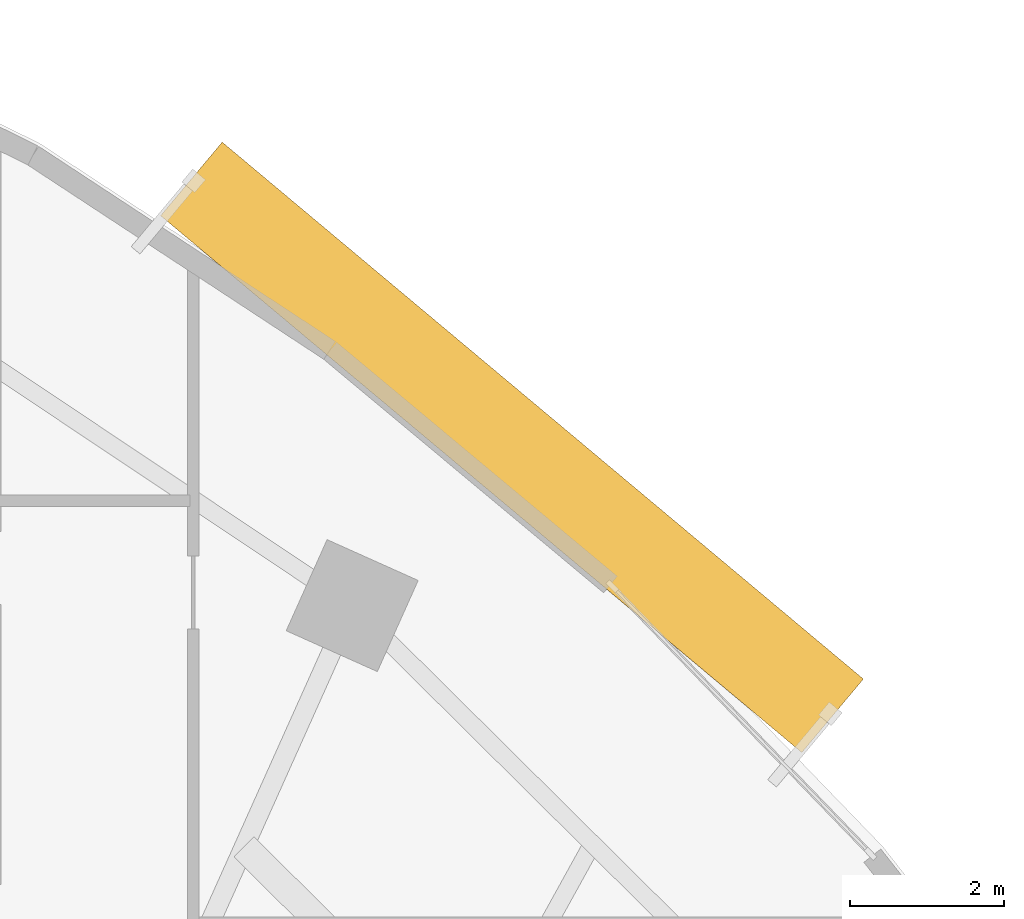
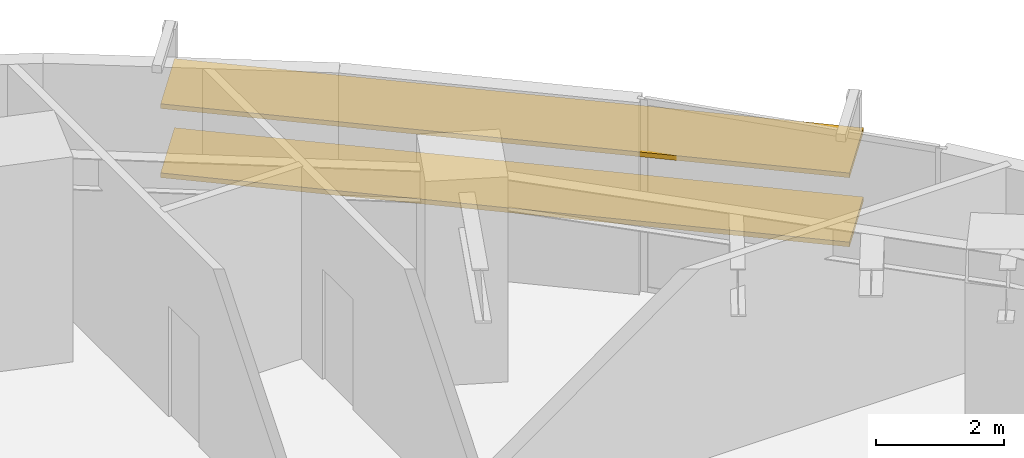
# One storey, part 14 of 14: 2 shading devices.
"""IFC4 building model written with IfcOpenShell, lengths in metres."""

from ifc_helpers import new_model, si_unit, direction, frame, origin, origin_2d, place, context, subcontext, project, spatial, rectangle, extrude, source, transform, mapped, material, material_profile, profile_set, type_object, element, save


model = new_model("IFC4")

# Units and contexts
model_context = context("Model", 3, precision=1e-05, world=origin(), true_north=direction((0.0, 1.0)))
body_context = subcontext(model_context, "Body", "Model", "MODEL_VIEW")
ifc_project = project(units=[si_unit("LENGTHUNIT", "METRE"), si_unit("AREAUNIT", "SQUARE_METRE"), si_unit("VOLUMEUNIT", "CUBIC_METRE"), si_unit("PLANEANGLEUNIT", "RADIAN"), si_unit("MASSUNIT", "GRAM", prefix="KILO")], contexts=[model_context])

# Site, building, storey
site_placement = place(None, origin())
site = spatial("IfcSite", under=ifc_project, at=site_placement, CompositionType="ELEMENT")
building_placement = place(site_placement, origin())
building = spatial("IfcBuilding", under=site, at=building_placement, Name="Breltana Convention Tower", CompositionType="ELEMENT")
storey_placement = place(building_placement, frame((0.0, 0.0, 99.89990234375)))
storey = spatial("IfcBuildingStorey", under=building, at=storey_placement, Name="L23", CompositionType="ELEMENT", Elevation=99.89990234375)

# Shading devices
ifc_material = material(Name="Limestone Warm Buff Honed", Category="masonry")
ifc_material_profile = material_profile(ifc_material, rectangle(XDim=1.25, YDim=0.090087890625, at=origin_2d()), Name="STN-LVR-1250X90")
ifc_profile_set = profile_set([ifc_material_profile], Name="Limestone Warm Buff Honed")
shading_device_type = type_object("IfcShadingDeviceType", Name="SHD-OUTER-SKIN-LIMESTONE-1250", PredefinedType="JALOUSIE", material=ifc_profile_set)
shared_shape = source(origin(), body_context, "Body", "SweptSolid", [
    extrude(rectangle(XDim=1.25, YDim=0.090087890625, at=origin_2d()), origin(), (0.0, 0.0, 1.0), 10.892333984375),
])
for number, where, z_axis, x_axis, name in (
    (1, (66.81591796875, 74.190673828125, 1.314208984375), (0.766718160057, -0.641983849515, 0.0), (0.641983849515, 0.766718160057, 0.0), "L23 outer skin warm limestone louvre 2.1"),
    (2, (66.81591796875, 74.190673828125, 2.628173828125), (0.766718160057, -0.641983849515, 0.0), (0.641983849515, 0.766718160057, 0.0), "L23 outer skin warm limestone louvre 2.2"),
):
    element("IfcShadingDevice", number, at=place(storey_placement, frame(where, z_axis=z_axis, x_axis=x_axis)), inside=storey, type_object=shading_device_type, Name=name, PredefinedType="JALOUSIE", context=body_context, shape_type="MappedRepresentation", body=[
        mapped(shared_shape, transform((0.0, 0.0, 0.0), scale=1.0)),
    ])

save(model, "model.ifc")
